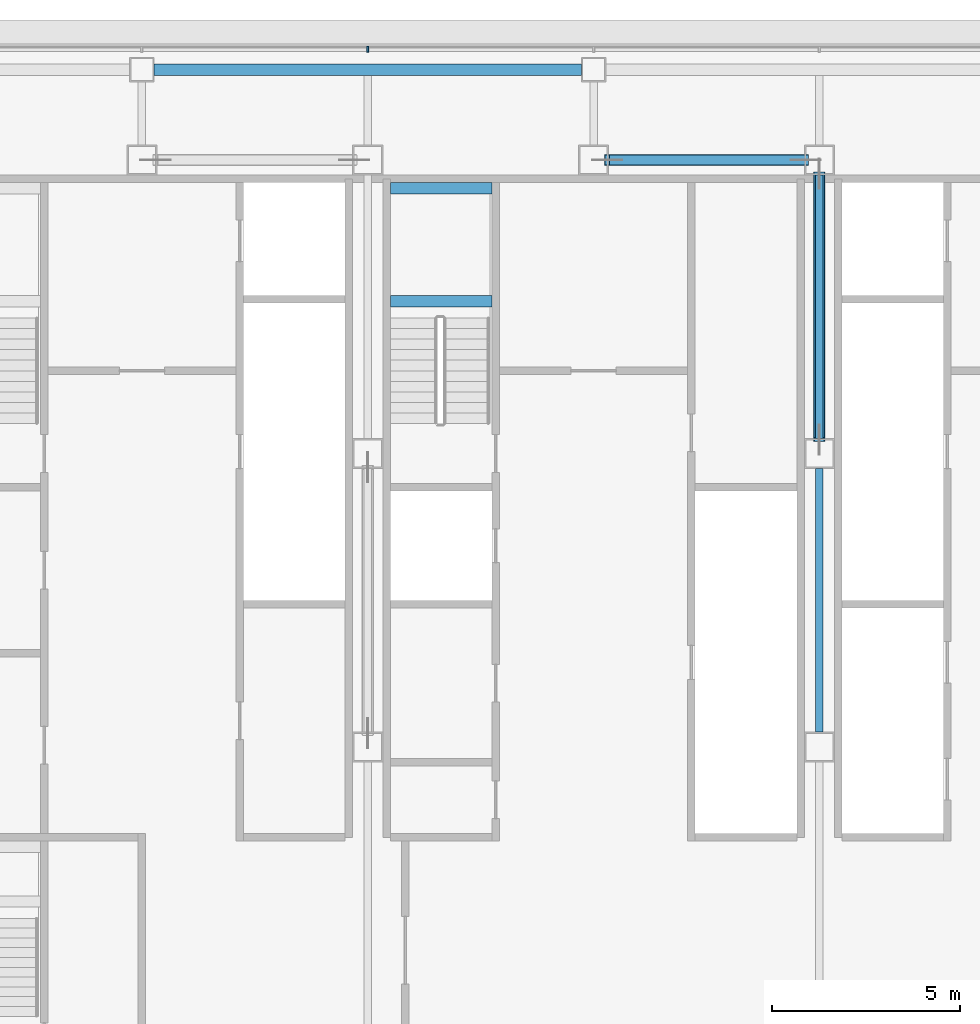
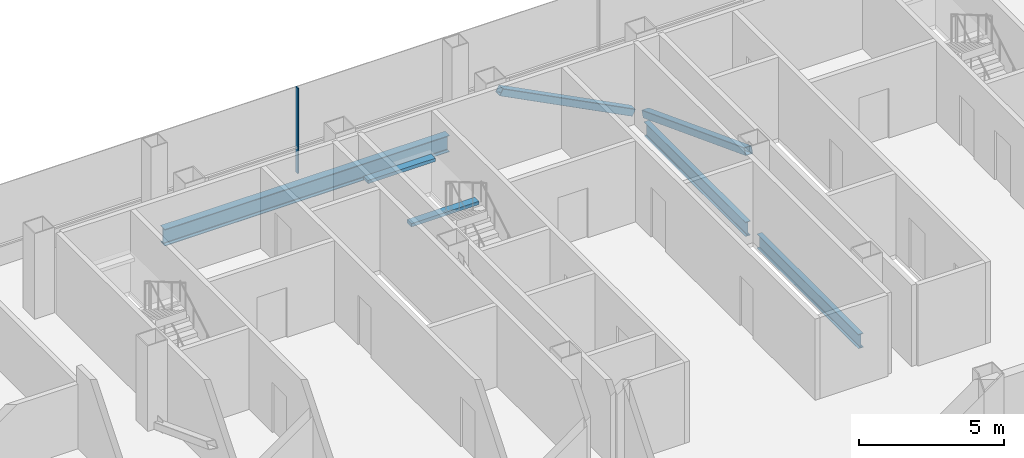
# One storey, part 13 of 26: 5 beams, 3 members, 1 element without a shape of its own.
"""IFC4 building model written with IfcOpenShell, lengths in metres."""

from ifc_helpers import new_model, si_unit, direction, frame, origin, origin_2d, place, context, subcontext, project, spatial, rectangle, hollow_rectangle, i_section, extrude, material, material_profile, profile_set, type_object, element, aggregate, save


model = new_model("IFC4")

# Units and contexts
model_context = context("Model", 3, precision=1e-05, world=origin(), true_north=direction((0.0, 1.0)))
body_context = subcontext(model_context, "Body", "Model", "MODEL_VIEW")
ifc_project = project(units=[si_unit("LENGTHUNIT", "METRE"), si_unit("AREAUNIT", "SQUARE_METRE"), si_unit("VOLUMEUNIT", "CUBIC_METRE"), si_unit("PLANEANGLEUNIT", "RADIAN"), si_unit("MASSUNIT", "GRAM", prefix="KILO")], contexts=[model_context])

# Site, building, storey
site_placement = place(None, origin())
site = spatial("IfcSite", under=ifc_project, at=site_placement, CompositionType="ELEMENT")
building_placement = place(site_placement, origin())
building = spatial("IfcBuilding", under=site, at=building_placement, Name="Sorahane Residences", CompositionType="ELEMENT")
storey_placement = place(building_placement, frame((0.0, 0.0, 243.199951171875)))
storey = spatial("IfcBuildingStorey", under=building, at=storey_placement, Name="L57", CompositionType="ELEMENT", Elevation=243.199951171875)

# Members
ifc_material_1 = material(Name="Steel Q355B", Category="steel")
ifc_material_profile_1 = material_profile(ifc_material_1, hollow_rectangle(XDim=0.300048828125, YDim=0.300048828125, WallThickness=0.01611328125, InnerFilletRadius=0.008056640625, OuterFilletRadius=0.02392578125, at=origin_2d()), Name="RHS 300x300x16")
ifc_profile_set_1 = profile_set([ifc_material_profile_1], Name="Steel Q355B")
member_type_1 = type_object("IfcMemberType", Name="Core brace RHS 300x300x16 Q355B", PredefinedType="BRACE", material=ifc_profile_set_1)
member_1_placement = place(storey_placement, frame((29.64111328125, 45.60009765625, 0.12890625), z_axis=(-0.889590046837, 0.0, 0.45675983686), x_axis=(0.0, -1.0, 0.0)))
element("IfcMember", 1, at=member_1_placement, inside=storey, type_object=member_type_1, Name="Core brace L57 y45.6-4", PredefinedType="BRACE", context=body_context, shape_type="SweptSolid", body=[
    extrude(hollow_rectangle(XDim=0.300048828125, YDim=0.300048828125, WallThickness=0.01611328125, InnerFilletRadius=0.008056640625, OuterFilletRadius=0.02392578125, at=origin_2d()), origin(), (0.0, 0.0, 1.0), 5.937744140625),
])
member_2_placement = place(storey_placement, frame((30.0, 45.232177734375, 0.1376953125), z_axis=(0.0, -0.934335722983, 0.356394103147), x_axis=(1.0, 0.0, 0.0)))
element("IfcMember", 2, at=member_2_placement, inside=storey, type_object=member_type_1, Name="Core brace L57 x30-2", PredefinedType="BRACE", context=body_context, shape_type="SweptSolid", body=[
    extrude(hollow_rectangle(XDim=0.300048828125, YDim=0.300048828125, WallThickness=0.01611328125, InnerFilletRadius=0.008056640625, OuterFilletRadius=0.02392578125, at=origin_2d()), origin(), (0.0, 0.0, 1.0), 7.560791015625),
])

# Curtain wall, member
ifc_material_2 = material(Name="Dark low-e glass and black anodised aluminium", Category="aluminium")
curtain_wall_type = type_object("IfcCurtainWallType", Name="Curtain wall CW-1 Typical unitised wall", PredefinedType="NOTDEFINED", material=ifc_material_2)
curtain_wall_placement = place(storey_placement, origin())
curtain_wall = element("IfcCurtainWall", 3, at=curtain_wall_placement, inside=storey, type_object=curtain_wall_type, Name="CW-1 curtain wall L57 N1", PredefinedType="NOTDEFINED")
ifc_material_3 = material(Name="Black anodised aluminium", Category="aluminium")
ifc_material_profile_2 = material_profile(ifc_material_3, rectangle(XDim=0.159912109375, YDim=0.050048828125, at=origin_2d()), Name="Curtain wall mullion CW-1 black anodised aluminium 50x160")
ifc_profile_set_2 = profile_set([ifc_material_profile_2], Name="Black anodised aluminium")
member_type_2 = type_object("IfcMemberType", Name="Curtain wall mullion CW-1 black anodised aluminium 50x160", PredefinedType="MULLION", material=ifc_profile_set_2)
member_3_placement = place(storey_placement, frame((18.0, 48.5400390625, -0.179931640625), z_axis=(0.0, 0.0, 1.0), x_axis=(0.0, 1.0, 0.0)))
member_3 = element("IfcMember", 4, at=member_3_placement, type_object=member_type_2, Name="CW-1 mullion L57 N1.6", PredefinedType="MULLION", context=body_context, shape_type="SweptSolid", body=[
    extrude(rectangle(XDim=0.159912109375, YDim=0.050048828125, at=origin_2d()), origin(), (0.0, 0.0, 1.0), 3.60009765625),
])
aggregate(curtain_wall, [member_3])

# Beams
ifc_material_4 = material(Name="Concrete C40", Category="concrete")
ifc_material_profile_3 = material_profile(ifc_material_4, rectangle(XDim=0.300048828125, YDim=0.139892578125, at=origin_2d()), Name="300x140")
ifc_profile_set_3 = profile_set([ifc_material_profile_3], Name="Concrete C40")
beam_type_1 = type_object("IfcBeamType", Name="RC landing beam 300 x 140 Concrete C40", PredefinedType="BEAM", material=ifc_profile_set_3)
for number, where, z_axis, x_axis, name in (
    (5, (18.60009765625, 41.85009765625, 1.530029296875), (1.0, 0.0, 0.0), (0.0, 1.0, 0.0), "Landing beam"),
    (6, (18.60009765625, 44.85009765625, 1.530029296875), (1.0, 0.0, 0.0), (0.0, 1.0, 0.0), "Landing beam"),
):
    element("IfcBeam", number, at=place(storey_placement, frame(where, z_axis=z_axis, x_axis=x_axis)), inside=storey, type_object=beam_type_1, Name=name, PredefinedType="BEAM", context=body_context, shape_type="SweptSolid", body=[
        extrude(rectangle(XDim=0.300048828125, YDim=0.139892578125, at=origin_2d()), origin(), (0.0, 0.0, 1.0), 2.699951171875),
    ])
ifc_material_5 = material(Name="Steel Q355B", Category="steel")
ifc_material_profile_4 = material_profile(ifc_material_5, i_section(OverallWidth=0.199951171875, OverallDepth=0.60009765625, WebThickness=0.010986328125, FlangeThickness=0.01708984375, FilletRadius=0.02392578125, at=origin_2d()), Name="HN 600x200x11x17")
ifc_profile_set_4 = profile_set([ifc_material_profile_4], Name="Steel Q355B")
beam_type_2 = type_object("IfcBeamType", Name="Steel floor beam HN 600x200x11x17 Q355B", PredefinedType="BEAM", material=ifc_profile_set_4)
for number, where, z_axis, x_axis, name in (
    (7, (30.0, 30.39990234375, -0.47998046875), (0.0, 1.0, 0.0), (-1.0, 0.0, 0.0), "Beam L57 047"),
    (8, (30.0, 38.199951171875, -0.47998046875), (0.0, 1.0, 0.0), (-1.0, 0.0, 0.0), "Beam L57 048"),
):
    element("IfcBeam", number, at=place(storey_placement, frame(where, z_axis=z_axis, x_axis=x_axis)), inside=storey, type_object=beam_type_2, Name=name, PredefinedType="BEAM", context=body_context, shape_type="SweptSolid", body=[
        extrude(i_section(OverallWidth=0.199951171875, OverallDepth=0.60009765625, WebThickness=0.010986328125, FlangeThickness=0.01708984375, FilletRadius=0.02392578125, at=origin_2d()), origin(), (0.0, 0.0, 1.0), 7.0),
    ])
ifc_material_6 = material(Name="Steel Q355B", Category="steel")
ifc_material_profile_5 = material_profile(ifc_material_6, i_section(OverallWidth=0.300048828125, OverallDepth=0.699951171875, WebThickness=0.012939453125, FlangeThickness=0.02392578125, FilletRadius=0.028076171875, at=origin_2d()), Name="HN 700x300x13x24")
ifc_profile_set_5 = profile_set([ifc_material_profile_5], Name="Steel Q355B")
beam_type_3 = type_object("IfcBeamType", Name="Steel floor beam HN 700x300x13x24 Q355B", PredefinedType="BEAM", material=ifc_profile_set_5)
beam_placement = place(storey_placement, frame((12.324951171875, 48.0, -0.530029296875), z_axis=(1.0, 0.0, 0.0), x_axis=(0.0, 1.0, 0.0)))
element("IfcBeam", 9, at=beam_placement, inside=storey, type_object=beam_type_3, Name="Beam L57 017", PredefinedType="BEAM", context=body_context, shape_type="SweptSolid", body=[
    extrude(i_section(OverallWidth=0.300048828125, OverallDepth=0.699951171875, WebThickness=0.012939453125, FlangeThickness=0.02392578125, FilletRadius=0.028076171875, at=origin_2d()), origin(), (0.0, 0.0, 1.0), 11.35009765625),
])

save(model, "model.ifc")
